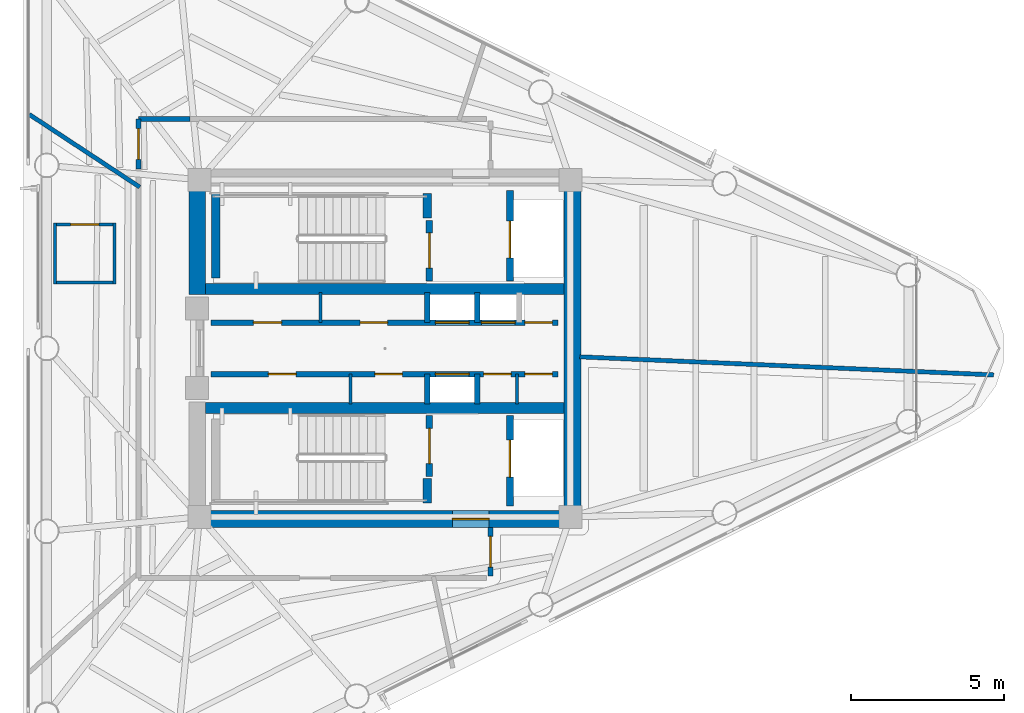
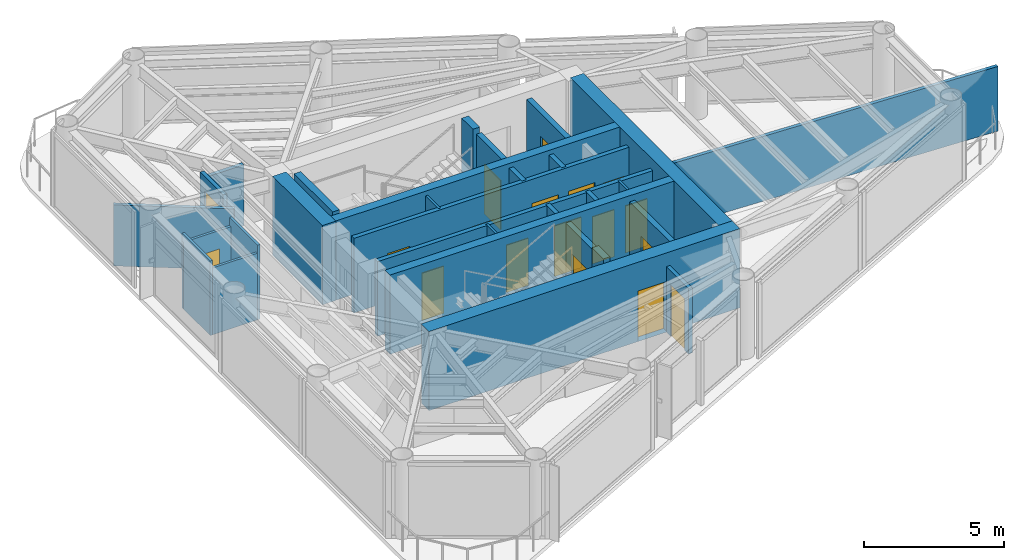
# One storey, part 5 of 10: 30 walls, 18 doors, 18 openings.
"""IFC4 building model written with IfcOpenShell, lengths in metres."""

from ifc_helpers import new_model, si_unit, direction, frame, frame_2d, origin, place, context, subcontext, project, spatial, rectangle, extrude, material, layer, layer_set, type_object, element, fill, save


model = new_model("IFC4")

# Units and contexts
model_context = context("Model", 3, precision=1e-05, world=origin(), true_north=direction((0.0, 1.0)))
body_context = subcontext(model_context, "Body", "Model", "MODEL_VIEW")
ifc_project = project(units=[si_unit("LENGTHUNIT", "METRE"), si_unit("AREAUNIT", "SQUARE_METRE"), si_unit("VOLUMEUNIT", "CUBIC_METRE"), si_unit("PLANEANGLEUNIT", "RADIAN"), si_unit("MASSUNIT", "GRAM", prefix="KILO")], contexts=[model_context])

# Site, building, storey
site_placement = place(None, origin())
site = spatial("IfcSite", under=ifc_project, at=site_placement, CompositionType="ELEMENT")
building_placement = place(site_placement, origin())
building = spatial("IfcBuilding", under=site, at=building_placement, Name="Yunling Apex Tower", CompositionType="ELEMENT")
storey_placement = place(building_placement, frame((0.0, 0.0, 289.85009765625)))
storey = spatial("IfcBuildingStorey", under=building, at=storey_placement, Name="L70", CompositionType="ELEMENT", Elevation=289.85009765625)

# Wall, opening, door
ifc_material_1 = material(Name="Concrete C40", Category="concrete")
ifc_layer_1 = layer(ifc_material_1, 0.550048828125)
ifc_layer_set_1 = layer_set([ifc_layer_1], Name="Concrete C40")
wall_type_1 = type_object("IfcWallType", Name="WL-COR-3", PredefinedType="SHEAR", material=ifc_layer_set_1)
wall_1_placement = place(storey_placement, frame((-6.39990234375, -5.574951171875, 0.0), z_axis=(0.0, 0.0, 1.0), x_axis=(1.0, 0.0, 0.0)))
wall_1 = element("IfcWall", 1, at=wall_1_placement, inside=storey, type_object=wall_type_1, Name="L70 South Core Shear Wall", PredefinedType="SHEAR", context=body_context, shape_type="SweptSolid", body=[
    extrude(rectangle(XDim=12.7998046875, YDim=0.550048828125, at=frame_2d((6.39990234375, 0.0))), origin(), (0.0, 0.0, 1.0), 3.449951171875),
])
opening_1_placement = place(wall_1_placement, frame((8.60009765625, 0.0, 0.0)))
opening_1 = element("IfcOpeningElement", 2, at=opening_1_placement, cuts=wall_1, Name="Opening DR-FFL-1", PredefinedType="OPENING", context=body_context, shape_type="SweptSolid", body=[
    extrude(rectangle(XDim=1.199951171875, YDim=2.199951171875, at=frame_2d((0.60009765625, 1.10009765625))), frame((0.0, 0.28515625, 0.0), z_axis=(0.0, -1.0, 0.0), x_axis=(1.0, 0.0, 0.0)), (0.0, 0.0, 1.0), 0.570068359375),
])
ifc_material_2 = material(Name="Steel Q355B", Category="steel")
door_type_1 = type_object("IfcDoorType", Name="DR-FFL-1", OperationType="NOTDEFINED", PredefinedType="DOOR", material=ifc_material_2)
door_1_placement = place(opening_1_placement, origin())
door_1 = element("IfcDoor", 3, at=door_1_placement, inside=storey, type_object=door_type_1, Name="L70 South Firefighting Lobby Door", OperationType="SINGLE_SWING_RIGHT", OverallHeight=2.199951171875, OverallWidth=1.199951171875, PredefinedType="DOOR", context=body_context, shape_type="SweptSolid", body=[
    extrude(rectangle(XDim=1.199951171875, YDim=2.199951171875, at=frame_2d((0.60009765625, 1.10009765625))), frame((0.0, 0.02490234375, 0.0), z_axis=(0.0, -1.0, 0.0), x_axis=(1.0, 0.0, 0.0)), (0.0, 0.0, 1.0), 0.050048828125),
])
fill(opening_1, door_1)

# Walls
wall_2_placement = place(storey_placement, frame((6.125, -5.300048828125, 0.0), z_axis=(0.0, 0.0, 1.0), x_axis=(0.0, 1.0, 0.0)))
element("IfcWall", 4, at=wall_2_placement, inside=storey, type_object=wall_type_1, Name="L70 East Core Shear Wall", PredefinedType="SHEAR", context=body_context, shape_type="SweptSolid", body=[
    extrude(rectangle(XDim=10.60009765625, YDim=0.550048828125, at=frame_2d((5.300048828125, 0.0))), origin(), (0.0, 0.0, 1.0), 3.449951171875),
])
wall_3_placement = place(storey_placement, frame((-6.125, 1.75, 0.0), z_axis=(0.0, 0.0, 1.0), x_axis=(0.0, 1.0, 0.0)))
element("IfcWall", 5, at=wall_3_placement, inside=storey, type_object=wall_type_1, Name="L70 West-North Core Shear Wall", PredefinedType="SHEAR", context=body_context, shape_type="SweptSolid", body=[
    extrude(rectangle(XDim=3.550048828125, YDim=0.550048828125, at=frame_2d((1.77490234375, 0.0))), origin(), (0.0, 0.0, 1.0), 3.449951171875),
])
ifc_layer_2 = layer(ifc_material_1, 0.360107421875)
ifc_layer_set_2 = layer_set([ifc_layer_2], Name="Concrete C40")
wall_type_2 = type_object("IfcWallType", Name="WL-COR-4", PredefinedType="SHEAR", material=ifc_layer_set_2)
for number, where, z_axis, x_axis, name in (
    (6, (-5.85009765625, 1.93994140625, 0.0), (0.0, 0.0, 1.0), (1.0, 0.0, 0.0), "L70 North Internal Core Shear Wall"),
    (7, (-5.85009765625, -1.93994140625, 0.0), (0.0, 0.0, 1.0), (1.0, 0.0, 0.0), "L70 South Internal Core Shear Wall"),
):
    element("IfcWall", number, at=place(storey_placement, frame(where, z_axis=z_axis, x_axis=x_axis)), inside=storey, type_object=wall_type_2, Name=name, PredefinedType="SHEAR", context=body_context, shape_type="SweptSolid", body=[
        extrude(rectangle(XDim=11.7001953125, YDim=0.360107421875, at=frame_2d((5.85009765625, 0.0))), origin(), (0.0, 0.0, 1.0), 3.449951171875),
    ])
ifc_layer_3 = layer(ifc_material_1, 0.280029296875)
ifc_layer_set_3 = layer_set([ifc_layer_3], Name="Concrete C40")
wall_type_3 = type_object("IfcWallType", Name="WL-COR-8", PredefinedType="SHEAR", material=ifc_layer_set_3)
wall_4_placement = place(storey_placement, frame((-5.52001953125, 2.300048828125, 0.0), z_axis=(0.0, 0.0, 1.0), x_axis=(0.0, 1.0, 0.0)))
element("IfcWall", 8, at=wall_4_placement, inside=storey, type_object=wall_type_3, Name="L70 ST-1 West Landing Bearing Wall", PredefinedType="SHEAR", context=body_context, shape_type="SweptSolid", body=[
    extrude(rectangle(XDim=2.75, YDim=0.280029296875, at=frame_2d((1.375, 0.0))), origin(), (0.0, 0.0, 1.0), 3.449951171875),
])
for number, where, z_axis, x_axis, name in (
    (9, (1.3798828125, 4.25, 0.0), (0.0, 0.0, 1.0), (0.0, 1.0, 0.0), "L70 ST-1 East Landing Bearing Pier"),
    (10, (1.3798828125, -5.050048828125, 0.0), (0.0, 0.0, 1.0), (0.0, 1.0, 0.0), "L70 ST-2 East Landing Bearing Pier"),
):
    element("IfcWall", number, at=place(storey_placement, frame(where, z_axis=z_axis, x_axis=x_axis)), inside=storey, type_object=wall_type_3, Name=name, PredefinedType="SHEAR", context=body_context, shape_type="SweptSolid", body=[
        extrude(rectangle(XDim=0.800048828125, YDim=0.280029296875, at=frame_2d((0.39990234375, 0.0))), origin(), (0.0, 0.0, 1.0), 3.449951171875),
    ])

# Wall, opening, door
ifc_material_3 = material(Name="Gypsum board acoustic partition")
ifc_layer_4 = layer(ifc_material_3, 0.159912109375)
ifc_layer_set_4 = layer_set([ifc_layer_4], Name="Gypsum board acoustic partition")
wall_type_4 = type_object("IfcWallType", Name="WL-PRT-1", PredefinedType="PARTITIONING", material=ifc_layer_set_4)
wall_5_placement = place(storey_placement, frame((-8.0400390625, 5.85009765625, 0.0), z_axis=(0.0, 0.0, 1.0), x_axis=(0.0, 1.0, 0.0)))
wall_5 = element("IfcWall", 11, at=wall_5_placement, inside=storey, type_object=wall_type_4, Name="WL-CORR-L70-01", PredefinedType="PARTITIONING", context=body_context, shape_type="SweptSolid", body=[
    extrude(rectangle(XDim=1.639892578125, YDim=0.159912109375, at=frame_2d((0.81982421875, 0.0))), origin(), (0.0, 0.0, 1.0), 2.90478515625),
])
opening_2_placement = place(wall_5_placement, frame((0.320068359375, 0.0, 0.0)))
opening_2 = element("IfcOpeningElement", 12, at=opening_2_placement, cuts=wall_5, Name="Opening DR-OFF-1", PredefinedType="OPENING", context=body_context, shape_type="SweptSolid", body=[
    extrude(rectangle(XDim=1.0, YDim=2.25, at=frame_2d((0.5, 1.125))), frame((0.0, 0.08984375, 0.0), z_axis=(0.0, -1.0, 0.0), x_axis=(1.0, 0.0, 0.0)), (0.0, 0.0, 1.0), 0.179931640625),
])
ifc_material_4 = material(Name="Bronze anodised aluminium", Category="aluminium")
door_type_2 = type_object("IfcDoorType", Name="DR-OFF-1", OperationType="NOTDEFINED", PredefinedType="DOOR", material=ifc_material_4)
door_2_placement = place(opening_2_placement, origin())
door_2 = element("IfcDoor", 13, at=door_2_placement, inside=storey, type_object=door_type_2, Name="L70 Parcel Archive Store Door", OperationType="SINGLE_SWING_RIGHT", OverallHeight=2.25, OverallWidth=1.0, PredefinedType="DOOR", context=body_context, shape_type="SweptSolid", body=[
    extrude(rectangle(XDim=1.0, YDim=2.25, at=frame_2d((0.5, 1.125))), frame((0.0, 0.02490234375, 0.0), z_axis=(0.0, -1.0, 0.0), x_axis=(1.0, 0.0, 0.0)), (0.0, 0.0, 1.0), 0.050048828125),
])
fill(opening_2, door_2)

# Wall
wall_6_placement = place(storey_placement, frame((-8.0400390625, 7.489990234375, 0.0), z_axis=(0.0, 0.0, 1.0), x_axis=(1.0, 0.0, 0.0)))
element("IfcWall", 14, at=wall_6_placement, inside=storey, type_object=wall_type_4, Name="WL-CORR-L70-02", PredefinedType="PARTITIONING", context=body_context, shape_type="SweptSolid", body=[
    extrude(rectangle(XDim=1.679931640625, YDim=0.159912109375, at=frame_2d((0.83984375, 0.0))), origin(), (0.0, 0.0, 1.0), 2.65478515625),
])

# Wall, opening, door
wall_7_placement = place(storey_placement, frame((3.449951171875, -5.85009765625, 0.0), z_axis=(0.0, 0.0, 1.0), x_axis=(0.0, -1.0, 0.0)))
wall_7 = element("IfcWall", 15, at=wall_7_placement, inside=storey, type_object=wall_type_4, Name="WL-CORR-L70-05", PredefinedType="PARTITIONING", context=body_context, shape_type="SweptSolid", body=[
    extrude(rectangle(XDim=1.57470703125, YDim=0.159912109375, at=frame_2d((0.787353515625, 0.0))), origin(), (0.0, 0.0, 1.0), 2.85498046875),
])
opening_3_placement = place(wall_7_placement, frame((0.287353515625, 0.0, 0.0)))
opening_3 = element("IfcOpeningElement", 16, at=opening_3_placement, cuts=wall_7, Name="Opening DR-OFF-1", PredefinedType="OPENING", context=body_context, shape_type="SweptSolid", body=[
    extrude(rectangle(XDim=1.0, YDim=2.25, at=frame_2d((0.5, 1.125))), frame((0.0, 0.08984375, 0.0), z_axis=(0.0, -1.0, 0.0), x_axis=(1.0, 0.0, 0.0)), (0.0, 0.0, 1.0), 0.179931640625),
])
door_3_placement = place(opening_3_placement, origin())
door_3 = element("IfcDoor", 17, at=door_3_placement, inside=storey, type_object=door_type_2, Name="L70 Parcel Archive Store Door", OperationType="SINGLE_SWING_RIGHT", OverallHeight=2.25, OverallWidth=1.0, PredefinedType="DOOR", context=body_context, shape_type="SweptSolid", body=[
    extrude(rectangle(XDim=1.0, YDim=2.25, at=frame_2d((0.5, 1.125))), frame((0.0, 0.02490234375, 0.0), z_axis=(0.0, -1.0, 0.0), x_axis=(1.0, 0.0, 0.0)), (0.0, 0.0, 1.0), 0.050048828125),
])
fill(opening_3, door_3)

# Walls
ifc_layer_5 = layer(ifc_material_3, 0.139892578125)
ifc_layer_set_5 = layer_set([ifc_layer_5], Name="Gypsum board acoustic partition")
wall_type_5 = type_object("IfcWallType", Name="WL-PRT-2", PredefinedType="PARTITIONING", material=ifc_layer_set_5)
wall_8_placement = place(storey_placement, frame((6.360107421875, -0.277587890625, 0.0), z_axis=(0.0, 0.0, 1.0), x_axis=(0.999047623791, -0.043633076864, 0.0)))
element("IfcWall", 18, at=wall_8_placement, inside=storey, type_object=wall_type_5, Name="WL-RAD-L70-01", PredefinedType="PARTITIONING", context=body_context, shape_type="SweptSolid", body=[
    extrude(rectangle(XDim=13.52392578125, YDim=0.139892578125, at=frame_2d((6.761962890625, 0.0))), origin(), (0.0, 0.0, 1.0), 2.81494140625),
])
wall_9_placement = place(storey_placement, frame((-8.0, 5.26171875, 0.0), z_axis=(0.0, 0.0, 1.0), x_axis=(-0.835496328285, 0.549496028578, 0.0)))
element("IfcWall", 19, at=wall_9_placement, inside=storey, type_object=wall_type_5, Name="WL-RAD-L70-03", PredefinedType="PARTITIONING", context=body_context, shape_type="SweptSolid", body=[
    extrude(rectangle(XDim=4.317626953125, YDim=0.139892578125, at=frame_2d((2.15869140625, 0.0))), origin(), (0.0, 0.0, 1.0), 2.65478515625),
])
ifc_layer_6 = layer(ifc_material_3, 0.10009765625)
ifc_layer_set_6 = layer_set([ifc_layer_6], Name="Gypsum board acoustic partition")
wall_type_6 = type_object("IfcWallType", Name="WL-PRT-4", PredefinedType="PARTITIONING", material=ifc_layer_set_6)
for number, where, z_axis, x_axis, name in (
    (20, (-2.10009765625, 0.840087890625, 0.0), (0.0, 0.0, 1.0), (0.0, 1.0, 0.0), "WL-RECLMC-N-L70"),
    (21, (-1.1201171875, -1.820068359375, 0.0), (0.0, 0.0, 1.0), (0.0, 1.0, 0.0), "WL-RECLMC-S-L70"),
    (22, (4.31005859375, -1.820068359375, 0.0), (0.0, 0.0, 1.0), (0.0, 1.0, 0.0), "WL-KCDIV-L70"),
):
    element("IfcWall", number, at=place(storey_placement, frame(where, z_axis=z_axis, x_axis=x_axis)), inside=storey, type_object=wall_type_6, Name=name, PredefinedType="PARTITIONING", context=body_context, shape_type="SweptSolid", body=[
        extrude(rectangle(XDim=0.97998046875, YDim=0.10009765625, at=frame_2d((0.489990234375, 0.0))), origin(), (0.0, 0.0, 1.0), 3.25),
    ])

# Wall, opening, door
wall_10_placement = place(storey_placement, frame((-10.819091796875, 4.047119140625, 0.0), z_axis=(0.0, 0.0, 1.0), x_axis=(1.0, 0.0, 0.0)))
wall_10 = element("IfcWall", 23, at=wall_10_placement, inside=storey, type_object=wall_type_6, Name="WL-L70-RWC1N", PredefinedType="PARTITIONING", context=body_context, shape_type="SweptSolid", body=[
    extrude(rectangle(XDim=2.050048828125, YDim=0.10009765625, at=frame_2d((1.02490234375, 0.0))), origin(), (0.0, 0.0, 1.0), 2.90478515625),
])
opening_4_placement = place(wall_10_placement, frame((0.56494140625, 0.0, 0.0)))
opening_4 = element("IfcOpeningElement", 24, at=opening_4_placement, cuts=wall_10, Name="Opening DR-WC-1", PredefinedType="OPENING", context=body_context, shape_type="SweptSolid", body=[
    extrude(rectangle(XDim=0.919921875, YDim=2.10009765625, at=frame_2d((0.4599609375, 1.050048828125))), frame((0.0, 0.06005859375, 0.0), z_axis=(0.0, -1.0, 0.0), x_axis=(1.0, 0.0, 0.0)), (0.0, 0.0, 1.0), 0.1201171875),
])
ifc_material_5 = material(Name="Timber moisture-resistant leaf", Category="wood")
door_type_3 = type_object("IfcDoorType", Name="DR-WC-1", OperationType="NOTDEFINED", PredefinedType="DOOR", material=ifc_material_5)
door_4_placement = place(opening_4_placement, origin())
door_4 = element("IfcDoor", 25, at=door_4_placement, inside=storey, type_object=door_type_3, Name="L70 Accessible WC Door", OperationType="SINGLE_SWING_LEFT", OverallHeight=2.10009765625, OverallWidth=0.919921875, PredefinedType="DOOR", context=body_context, shape_type="SweptSolid", body=[
    extrude(rectangle(XDim=0.919921875, YDim=2.10009765625, at=frame_2d((0.4599609375, 1.050048828125))), frame((0.0, 0.02490234375, 0.0), z_axis=(0.0, -1.0, 0.0), x_axis=(1.0, 0.0, 0.0)), (0.0, 0.0, 1.0), 0.050048828125),
])
fill(opening_4, door_4)

# Walls
wall_11_placement = place(storey_placement, frame((-8.76904296875, 2.14697265625, 0.0), z_axis=(0.0, 0.0, 1.0), x_axis=(-1.0, 0.0, 0.0)))
element("IfcWall", 26, at=wall_11_placement, inside=storey, type_object=wall_type_6, Name="WL-L70-RWC1S", PredefinedType="PARTITIONING", context=body_context, shape_type="SweptSolid", body=[
    extrude(rectangle(XDim=2.050048828125, YDim=0.10009765625, at=frame_2d((1.02490234375, 0.0))), origin(), (0.0, 0.0, 1.0), 2.90478515625),
])
for number, where, z_axis, x_axis, name in (
    (27, (-8.819091796875, 4.096923828125, 0.0), (0.0, 0.0, 1.0), (0.0, -1.0, 0.0), "WL-L70-RWC1E"),
    (28, (-10.76904296875, 2.096923828125, 0.0), (0.0, 0.0, 1.0), (0.0, 1.0, 0.0), "WL-L70-RWC1W"),
):
    element("IfcWall", number, at=place(storey_placement, frame(where, z_axis=z_axis, x_axis=x_axis)), inside=storey, type_object=wall_type_6, Name=name, PredefinedType="PARTITIONING", context=body_context, shape_type="SweptSolid", body=[
        extrude(rectangle(XDim=2.0, YDim=0.10009765625, at=frame_2d((1.0, 0.0))), origin(), (0.0, 0.0, 1.0), 3.25),
    ])

# Wall, opening, door
ifc_material_6 = material(Name="Autoclaved aerated concrete masonry", Category="masonry")
ifc_layer_7 = layer(ifc_material_6, 0.219970703125)
ifc_layer_set_7 = layer_set([ifc_layer_7], Name="Autoclaved aerated concrete masonry")
wall_type_7 = type_object("IfcWallType", Name="WL-SHF-1", PredefinedType="PLUMBINGWALL", material=ifc_layer_set_7)
wall_12_placement = place(storey_placement, frame((1.449951171875, 2.199951171875, 0.0), z_axis=(0.0, 0.0, 1.0), x_axis=(0.0, 1.0, 0.0)))
wall_12 = element("IfcWall", 29, at=wall_12_placement, inside=storey, type_object=wall_type_7, Name="WL-ST1-E-L70", PredefinedType="PLUMBINGWALL", context=body_context, shape_type="SweptSolid", body=[
    extrude(rectangle(XDim=1.97998046875, YDim=0.219970703125, at=frame_2d((0.989990234375, 0.0))), origin(), (0.0, 0.0, 1.0), 3.25),
])
opening_5_placement = place(wall_12_placement, frame((0.419921875, 0.0, 0.0)))
opening_5 = element("IfcOpeningElement", 30, at=opening_5_placement, cuts=wall_12, Name="Opening DR-ST-1", PredefinedType="OPENING", context=body_context, shape_type="SweptSolid", body=[
    extrude(rectangle(XDim=1.14990234375, YDim=2.14990234375, at=frame_2d((0.574951171875, 1.074951171875))), frame((0.0, 0.1201171875, 0.0), z_axis=(0.0, -1.0, 0.0), x_axis=(1.0, 0.0, 0.0)), (0.0, 0.0, 1.0), 0.239990234375),
])
door_type_4 = type_object("IfcDoorType", Name="DR-ST-1", OperationType="NOTDEFINED", PredefinedType="DOOR", material=ifc_material_2)
door_5_placement = place(opening_5_placement, origin())
door_5 = element("IfcDoor", 31, at=door_5_placement, inside=storey, type_object=door_type_4, Name="L70 Stair ST-1 Fire Door", OperationType="SINGLE_SWING_RIGHT", OverallHeight=2.14990234375, OverallWidth=1.14990234375, PredefinedType="DOOR", context=body_context, shape_type="SweptSolid", body=[
    extrude(rectangle(XDim=1.14990234375, YDim=2.14990234375, at=frame_2d((0.574951171875, 1.074951171875))), frame((0.0, 0.02490234375, 0.0), z_axis=(0.0, -1.0, 0.0), x_axis=(1.0, 0.0, 0.0)), (0.0, 0.0, 1.0), 0.050048828125),
])
fill(opening_5, door_5)

wall_13_placement = place(storey_placement, frame((4.080078125, 2.199951171875, 0.0), z_axis=(0.0, 0.0, 1.0), x_axis=(0.0, 1.0, 0.0)))
wall_13 = element("IfcWall", 32, at=wall_13_placement, inside=storey, type_object=wall_type_7, Name="WL-FFL1-W-L70", PredefinedType="PLUMBINGWALL", context=body_context, shape_type="SweptSolid", body=[
    extrude(rectangle(XDim=2.949951171875, YDim=0.219970703125, at=frame_2d((1.47509765625, 0.0))), origin(), (0.0, 0.0, 1.0), 3.25),
])
opening_6_placement = place(wall_13_placement, frame((0.75, 0.0, 0.0)))
opening_6 = element("IfcOpeningElement", 33, at=opening_6_placement, cuts=wall_13, Name="Opening LD-FFL-1", PredefinedType="OPENING", context=body_context, shape_type="SweptSolid", body=[
    extrude(rectangle(XDim=1.199951171875, YDim=2.25, at=frame_2d((0.60009765625, 1.125))), frame((0.0, 0.1201171875, 0.0), z_axis=(0.0, -1.0, 0.0), x_axis=(1.0, 0.0, 0.0)), (0.0, 0.0, 1.0), 0.239990234375),
])
door_type_5 = type_object("IfcDoorType", Name="LD-FFL-1", OperationType="DOUBLE_DOOR_SLIDING", PredefinedType="DOOR", material=ifc_material_2)
door_6_placement = place(opening_6_placement, origin())
door_6 = element("IfcDoor", 34, at=door_6_placement, inside=storey, type_object=door_type_5, Name="L70 Lift FFL-1 Landing Door", OperationType="DOUBLE_DOOR_SLIDING", OverallHeight=2.25, OverallWidth=1.199951171875, PredefinedType="DOOR", context=body_context, shape_type="SweptSolid", body=[
    extrude(rectangle(XDim=1.199951171875, YDim=2.25, at=frame_2d((0.60009765625, 1.125))), frame((0.0, 0.02490234375, 0.0), z_axis=(0.0, -1.0, 0.0), x_axis=(1.0, 0.0, 0.0)), (0.0, 0.0, 1.0), 0.050048828125),
])
fill(opening_6, door_6)

wall_14_placement = place(storey_placement, frame((1.449951171875, -4.179931640625, 0.0), z_axis=(0.0, 0.0, 1.0), x_axis=(0.0, 1.0, 0.0)))
wall_14 = element("IfcWall", 35, at=wall_14_placement, inside=storey, type_object=wall_type_7, Name="WL-ST2-E-L70", PredefinedType="PLUMBINGWALL", context=body_context, shape_type="SweptSolid", body=[
    extrude(rectangle(XDim=1.97998046875, YDim=0.219970703125, at=frame_2d((0.989990234375, 0.0))), origin(), (0.0, 0.0, 1.0), 3.25),
])
opening_7_placement = place(wall_14_placement, frame((0.419921875, 0.0, 0.0)))
opening_7 = element("IfcOpeningElement", 36, at=opening_7_placement, cuts=wall_14, Name="Opening DR-ST-1", PredefinedType="OPENING", context=body_context, shape_type="SweptSolid", body=[
    extrude(rectangle(XDim=1.14990234375, YDim=2.14990234375, at=frame_2d((0.574951171875, 1.074951171875))), frame((0.0, 0.1201171875, 0.0), z_axis=(0.0, -1.0, 0.0), x_axis=(1.0, 0.0, 0.0)), (0.0, 0.0, 1.0), 0.239990234375),
])
door_7_placement = place(opening_7_placement, origin())
door_7 = element("IfcDoor", 37, at=door_7_placement, inside=storey, type_object=door_type_4, Name="L70 Stair ST-2 Fire Door", OperationType="SINGLE_SWING_LEFT", OverallHeight=2.14990234375, OverallWidth=1.14990234375, PredefinedType="DOOR", context=body_context, shape_type="SweptSolid", body=[
    extrude(rectangle(XDim=1.14990234375, YDim=2.14990234375, at=frame_2d((0.574951171875, 1.074951171875))), frame((0.0, 0.02490234375, 0.0), z_axis=(0.0, -1.0, 0.0), x_axis=(1.0, 0.0, 0.0)), (0.0, 0.0, 1.0), 0.050048828125),
])
fill(opening_7, door_7)

wall_15_placement = place(storey_placement, frame((4.080078125, -5.14990234375, 0.0), z_axis=(0.0, 0.0, 1.0), x_axis=(0.0, 1.0, 0.0)))
wall_15 = element("IfcWall", 38, at=wall_15_placement, inside=storey, type_object=wall_type_7, Name="WL-FFL2-W-L70", PredefinedType="PLUMBINGWALL", context=body_context, shape_type="SweptSolid", body=[
    extrude(rectangle(XDim=2.949951171875, YDim=0.219970703125, at=frame_2d((1.47509765625, 0.0))), origin(), (0.0, 0.0, 1.0), 3.25),
])
opening_8_placement = place(wall_15_placement, frame((0.949951171875, 0.0, 0.0)))
opening_8 = element("IfcOpeningElement", 39, at=opening_8_placement, cuts=wall_15, Name="Opening LD-FFL-1", PredefinedType="OPENING", context=body_context, shape_type="SweptSolid", body=[
    extrude(rectangle(XDim=1.199951171875, YDim=2.25, at=frame_2d((0.60009765625, 1.125))), frame((0.0, 0.1201171875, 0.0), z_axis=(0.0, -1.0, 0.0), x_axis=(1.0, 0.0, 0.0)), (0.0, 0.0, 1.0), 0.239990234375),
])
door_8_placement = place(opening_8_placement, origin())
door_8 = element("IfcDoor", 40, at=door_8_placement, inside=storey, type_object=door_type_5, Name="L70 Lift FFL-2 Landing Door", OperationType="DOUBLE_DOOR_SLIDING", OverallHeight=2.25, OverallWidth=1.199951171875, PredefinedType="DOOR", context=body_context, shape_type="SweptSolid", body=[
    extrude(rectangle(XDim=1.199951171875, YDim=2.25, at=frame_2d((0.60009765625, 1.125))), frame((0.0, 0.02490234375, 0.0), z_axis=(0.0, -1.0, 0.0), x_axis=(1.0, 0.0, 0.0)), (0.0, 0.0, 1.0), 0.050048828125),
])
fill(opening_8, door_8)

# Walls
ifc_layer_8 = layer(ifc_material_6, 0.179931640625)
ifc_layer_set_8 = layer_set([ifc_layer_8], Name="Autoclaved aerated concrete masonry")
wall_type_8 = type_object("IfcWallType", Name="WL-SHF-2", PredefinedType="PLUMBINGWALL", material=ifc_layer_set_8)
for number, where, z_axis, x_axis, name in (
    (41, (1.3798828125, 0.840087890625, 0.0), (0.0, 0.0, 1.0), (0.0, 1.0, 0.0), "WL-BNK-MH-N-L70"),
    (42, (1.3798828125, -1.820068359375, 0.0), (0.0, 0.0, 1.0), (0.0, 1.0, 0.0), "WL-BNK-MH-S-L70"),
    (43, (3.02001953125, 0.840087890625, 0.0), (0.0, 0.0, 1.0), (0.0, 1.0, 0.0), "WL-DIV-H13-L70"),
    (44, (3.02001953125, -1.820068359375, 0.0), (0.0, 0.0, 1.0), (0.0, 1.0, 0.0), "WL-END-H2E-L70"),
):
    element("IfcWall", number, at=place(storey_placement, frame(where, z_axis=z_axis, x_axis=x_axis)), inside=storey, type_object=wall_type_8, Name=name, PredefinedType="PLUMBINGWALL", context=body_context, shape_type="SweptSolid", body=[
        extrude(rectangle(XDim=0.97998046875, YDim=0.179931640625, at=frame_2d((0.489990234375, 0.0))), origin(), (0.0, 0.0, 1.0), 3.25),
    ])

# Wall, openings, doors
wall_16_placement = place(storey_placement, frame((-5.679931640625, 0.840087890625, 0.0), z_axis=(0.0, 0.0, 1.0), x_axis=(1.0, 0.0, 0.0)))
wall_16 = element("IfcWall", 45, at=wall_16_placement, inside=storey, type_object=wall_type_8, Name="WL-LOB-N-L70", PredefinedType="PLUMBINGWALL", context=body_context, shape_type="SweptSolid", body=[
    extrude(rectangle(XDim=11.329833984375, YDim=0.179931640625, at=frame_2d((5.6650390625, 0.0))), origin(), (0.0, 0.0, 1.0), 3.25),
])
opening_9_placement = place(wall_16_placement, frame((1.389892578125, 0.0, 0.0)))
opening_9 = element("IfcOpeningElement", 46, at=opening_9_placement, cuts=wall_16, Name="Opening DR-WC-1", PredefinedType="OPENING", context=body_context, shape_type="SweptSolid", body=[
    extrude(rectangle(XDim=0.919921875, YDim=2.10009765625, at=frame_2d((0.4599609375, 1.050048828125))), frame((0.0, 0.10009765625, 0.0), z_axis=(0.0, -1.0, 0.0), x_axis=(1.0, 0.0, 0.0)), (0.0, 0.0, 1.0), 0.199951171875),
])
opening_10_placement = place(wall_16_placement, frame((4.8701171875, 0.0, 0.0)))
opening_10 = element("IfcOpeningElement", 47, at=opening_10_placement, cuts=wall_16, Name="Opening DR-SHF-1", PredefinedType="OPENING", context=body_context, shape_type="SweptSolid", body=[
    extrude(rectangle(XDim=0.89990234375, YDim=2.050048828125, at=frame_2d((0.449951171875, 1.02490234375))), frame((0.0, 0.10009765625, 0.0), z_axis=(0.0, -1.0, 0.0), x_axis=(1.0, 0.0, 0.0)), (0.0, 0.0, 1.0), 0.199951171875),
])
opening_11_placement = place(wall_16_placement, frame((7.330078125, 0.0, 0.0)))
opening_11 = element("IfcOpeningElement", 48, at=opening_11_placement, cuts=wall_16, Name="Opening LD-PAS-1", PredefinedType="OPENING", context=body_context, shape_type="SweptSolid", body=[
    extrude(rectangle(XDim=1.10009765625, YDim=2.199951171875, at=frame_2d((0.550048828125, 1.10009765625))), frame((0.0, 0.10009765625, 0.0), z_axis=(0.0, -1.0, 0.0), x_axis=(1.0, 0.0, 0.0)), (0.0, 0.0, 1.0), 0.199951171875),
])
opening_12_placement = place(wall_16_placement, frame((8.830078125, 0.0, 0.0)))
opening_12 = element("IfcOpeningElement", 49, at=opening_12_placement, cuts=wall_16, Name="Opening LD-PAS-1", PredefinedType="OPENING", context=body_context, shape_type="SweptSolid", body=[
    extrude(rectangle(XDim=1.10009765625, YDim=2.199951171875, at=frame_2d((0.550048828125, 1.10009765625))), frame((0.0, 0.10009765625, 0.0), z_axis=(0.0, -1.0, 0.0), x_axis=(1.0, 0.0, 0.0)), (0.0, 0.0, 1.0), 0.199951171875),
])
opening_13_placement = place(wall_16_placement, frame((10.25, 0.0, 0.0)))
opening_13 = element("IfcOpeningElement", 50, at=opening_13_placement, cuts=wall_16, Name="Opening DR-SHF-1", PredefinedType="OPENING", context=body_context, shape_type="SweptSolid", body=[
    extrude(rectangle(XDim=0.89990234375, YDim=2.050048828125, at=frame_2d((0.449951171875, 1.02490234375))), frame((0.0, 0.10009765625, 0.0), z_axis=(0.0, -1.0, 0.0), x_axis=(1.0, 0.0, 0.0)), (0.0, 0.0, 1.0), 0.199951171875),
])
door_type_6 = type_object("IfcDoorType", Name="DR-SHF-1", OperationType="NOTDEFINED", PredefinedType="DOOR", material=ifc_material_2)
door_9_placement = place(opening_10_placement, origin())
door_9 = element("IfcDoor", 51, at=door_9_placement, inside=storey, type_object=door_type_6, Name="L70 Electrical Plant Door", OperationType="SINGLE_SWING_LEFT", OverallHeight=2.050048828125, OverallWidth=0.89990234375, PredefinedType="DOOR", context=body_context, shape_type="SweptSolid", body=[
    extrude(rectangle(XDim=0.89990234375, YDim=2.050048828125, at=frame_2d((0.449951171875, 1.02490234375))), frame((0.0, 0.02490234375, 0.0), z_axis=(0.0, -1.0, 0.0), x_axis=(1.0, 0.0, 0.0)), (0.0, 0.0, 1.0), 0.050048828125),
])
fill(opening_10, door_9)
door_10_placement = place(opening_13_placement, origin())
door_10 = element("IfcDoor", 52, at=door_10_placement, inside=storey, type_object=door_type_6, Name="L70 Floor Supply Store Door", OperationType="SINGLE_SWING_RIGHT", OverallHeight=2.050048828125, OverallWidth=0.89990234375, PredefinedType="DOOR", context=body_context, shape_type="SweptSolid", body=[
    extrude(rectangle(XDim=0.89990234375, YDim=2.050048828125, at=frame_2d((0.449951171875, 1.02490234375))), frame((0.0, 0.02490234375, 0.0), z_axis=(0.0, -1.0, 0.0), x_axis=(1.0, 0.0, 0.0)), (0.0, 0.0, 1.0), 0.050048828125),
])
fill(opening_13, door_10)
door_11_placement = place(opening_9_placement, origin())
door_11 = element("IfcDoor", 53, at=door_11_placement, inside=storey, type_object=door_type_3, Name="L70 Staff WC Door", OperationType="SINGLE_SWING_RIGHT", OverallHeight=2.10009765625, OverallWidth=0.919921875, PredefinedType="DOOR", context=body_context, shape_type="SweptSolid", body=[
    extrude(rectangle(XDim=0.919921875, YDim=2.10009765625, at=frame_2d((0.4599609375, 1.050048828125))), frame((0.0, 0.02490234375, 0.0), z_axis=(0.0, -1.0, 0.0), x_axis=(1.0, 0.0, 0.0)), (0.0, 0.0, 1.0), 0.050048828125),
])
fill(opening_9, door_11)
ifc_material_7 = material(Name="Silver anodised aluminium", Category="aluminium")
door_type_7 = type_object("IfcDoorType", Name="LD-PAS-1", OperationType="DOUBLE_DOOR_SLIDING", PredefinedType="DOOR", material=ifc_material_7)
door_12_placement = place(opening_11_placement, origin())
door_12 = element("IfcDoor", 54, at=door_12_placement, inside=storey, type_object=door_type_7, Name="L70 Lift PL-H1 Landing Door", OperationType="DOUBLE_DOOR_SLIDING", OverallHeight=2.199951171875, OverallWidth=1.10009765625, PredefinedType="DOOR", context=body_context, shape_type="SweptSolid", body=[
    extrude(rectangle(XDim=1.10009765625, YDim=2.199951171875, at=frame_2d((0.550048828125, 1.10009765625))), frame((0.0, 0.02490234375, 0.0), z_axis=(0.0, -1.0, 0.0), x_axis=(1.0, 0.0, 0.0)), (0.0, 0.0, 1.0), 0.050048828125),
])
fill(opening_11, door_12)
door_13_placement = place(opening_12_placement, origin())
door_13 = element("IfcDoor", 55, at=door_13_placement, inside=storey, type_object=door_type_7, Name="L70 Lift PL-H3 Landing Door", OperationType="DOUBLE_DOOR_SLIDING", OverallHeight=2.199951171875, OverallWidth=1.10009765625, PredefinedType="DOOR", context=body_context, shape_type="SweptSolid", body=[
    extrude(rectangle(XDim=1.10009765625, YDim=2.199951171875, at=frame_2d((0.550048828125, 1.10009765625))), frame((0.0, 0.02490234375, 0.0), z_axis=(0.0, -1.0, 0.0), x_axis=(1.0, 0.0, 0.0)), (0.0, 0.0, 1.0), 0.050048828125),
])
fill(opening_12, door_13)

wall_17_placement = place(storey_placement, frame((-5.679931640625, -0.840087890625, 0.0), z_axis=(0.0, 0.0, 1.0), x_axis=(1.0, 0.0, 0.0)))
wall_17 = element("IfcWall", 56, at=wall_17_placement, inside=storey, type_object=wall_type_8, Name="WL-LOB-S-L70", PredefinedType="PLUMBINGWALL", context=body_context, shape_type="SweptSolid", body=[
    extrude(rectangle(XDim=11.329833984375, YDim=0.179931640625, at=frame_2d((5.6650390625, 0.0))), origin(), (0.0, 0.0, 1.0), 3.25),
])
opening_14_placement = place(wall_17_placement, frame((1.8798828125, 0.0, 0.0)))
opening_14 = element("IfcOpeningElement", 57, at=opening_14_placement, cuts=wall_17, Name="Opening DR-SHF-1", PredefinedType="OPENING", context=body_context, shape_type="SweptSolid", body=[
    extrude(rectangle(XDim=0.89990234375, YDim=2.050048828125, at=frame_2d((0.449951171875, 1.02490234375))), frame((0.0, 0.10009765625, 0.0), z_axis=(0.0, -1.0, 0.0), x_axis=(1.0, 0.0, 0.0)), (0.0, 0.0, 1.0), 0.199951171875),
])
opening_15_placement = place(wall_17_placement, frame((5.35009765625, 0.0, 0.0)))
opening_15 = element("IfcOpeningElement", 58, at=opening_15_placement, cuts=wall_17, Name="Opening DR-SHF-1", PredefinedType="OPENING", context=body_context, shape_type="SweptSolid", body=[
    extrude(rectangle(XDim=0.89990234375, YDim=2.050048828125, at=frame_2d((0.449951171875, 1.02490234375))), frame((0.0, 0.10009765625, 0.0), z_axis=(0.0, -1.0, 0.0), x_axis=(1.0, 0.0, 0.0)), (0.0, 0.0, 1.0), 0.199951171875),
])
opening_16_placement = place(wall_17_placement, frame((7.330078125, 0.0, 0.0)))
opening_16 = element("IfcOpeningElement", 59, at=opening_16_placement, cuts=wall_17, Name="Opening LD-PAS-1", PredefinedType="OPENING", context=body_context, shape_type="SweptSolid", body=[
    extrude(rectangle(XDim=1.10009765625, YDim=2.199951171875, at=frame_2d((0.550048828125, 1.10009765625))), frame((0.0, 0.10009765625, 0.0), z_axis=(0.0, -1.0, 0.0), x_axis=(1.0, 0.0, 0.0)), (0.0, 0.0, 1.0), 0.199951171875),
])
opening_17_placement = place(wall_17_placement, frame((8.89990234375, 0.0, 0.0)))
opening_17 = element("IfcOpeningElement", 60, at=opening_17_placement, cuts=wall_17, Name="Opening DR-SHF-1", PredefinedType="OPENING", context=body_context, shape_type="SweptSolid", body=[
    extrude(rectangle(XDim=0.89990234375, YDim=2.050048828125, at=frame_2d((0.449951171875, 1.02490234375))), frame((0.0, 0.10009765625, 0.0), z_axis=(0.0, -1.0, 0.0), x_axis=(1.0, 0.0, 0.0)), (0.0, 0.0, 1.0), 0.199951171875),
])
opening_18_placement = place(wall_17_placement, frame((10.25, 0.0, 0.0)))
opening_18 = element("IfcOpeningElement", 61, at=opening_18_placement, cuts=wall_17, Name="Opening DR-SHF-1", PredefinedType="OPENING", context=body_context, shape_type="SweptSolid", body=[
    extrude(rectangle(XDim=0.89990234375, YDim=2.050048828125, at=frame_2d((0.449951171875, 1.02490234375))), frame((0.0, 0.10009765625, 0.0), z_axis=(0.0, -1.0, 0.0), x_axis=(1.0, 0.0, 0.0)), (0.0, 0.0, 1.0), 0.199951171875),
])
door_14_placement = place(opening_14_placement, origin())
door_14 = element("IfcDoor", 62, at=door_14_placement, inside=storey, type_object=door_type_6, Name="L70 Luggage Store Door", OperationType="SINGLE_SWING_LEFT", OverallHeight=2.050048828125, OverallWidth=0.89990234375, PredefinedType="DOOR", context=body_context, shape_type="SweptSolid", body=[
    extrude(rectangle(XDim=0.89990234375, YDim=2.050048828125, at=frame_2d((0.449951171875, 1.02490234375))), frame((0.0, 0.02490234375, 0.0), z_axis=(0.0, -1.0, 0.0), x_axis=(1.0, 0.0, 0.0)), (0.0, 0.0, 1.0), 0.050048828125),
])
fill(opening_14, door_14)
door_15_placement = place(opening_15_placement, origin())
door_15 = element("IfcDoor", 63, at=door_15_placement, inside=storey, type_object=door_type_6, Name="L70 Booster Plant Door", OperationType="SINGLE_SWING_RIGHT", OverallHeight=2.050048828125, OverallWidth=0.89990234375, PredefinedType="DOOR", context=body_context, shape_type="SweptSolid", body=[
    extrude(rectangle(XDim=0.89990234375, YDim=2.050048828125, at=frame_2d((0.449951171875, 1.02490234375))), frame((0.0, 0.02490234375, 0.0), z_axis=(0.0, -1.0, 0.0), x_axis=(1.0, 0.0, 0.0)), (0.0, 0.0, 1.0), 0.050048828125),
])
fill(opening_15, door_15)
door_16_placement = place(opening_17_placement, origin())
door_16 = element("IfcDoor", 64, at=door_16_placement, inside=storey, type_object=door_type_6, Name="L70 LV Closet Door", OperationType="SINGLE_SWING_LEFT", OverallHeight=2.050048828125, OverallWidth=0.89990234375, PredefinedType="DOOR", context=body_context, shape_type="SweptSolid", body=[
    extrude(rectangle(XDim=0.89990234375, YDim=2.050048828125, at=frame_2d((0.449951171875, 1.02490234375))), frame((0.0, 0.02490234375, 0.0), z_axis=(0.0, -1.0, 0.0), x_axis=(1.0, 0.0, 0.0)), (0.0, 0.0, 1.0), 0.050048828125),
])
fill(opening_17, door_16)
door_17_placement = place(opening_18_placement, origin())
door_17 = element("IfcDoor", 65, at=door_17_placement, inside=storey, type_object=door_type_6, Name="L70 Standpipe Closet Door", OperationType="SINGLE_SWING_RIGHT", OverallHeight=2.050048828125, OverallWidth=0.89990234375, PredefinedType="DOOR", context=body_context, shape_type="SweptSolid", body=[
    extrude(rectangle(XDim=0.89990234375, YDim=2.050048828125, at=frame_2d((0.449951171875, 1.02490234375))), frame((0.0, 0.02490234375, 0.0), z_axis=(0.0, -1.0, 0.0), x_axis=(1.0, 0.0, 0.0)), (0.0, 0.0, 1.0), 0.050048828125),
])
fill(opening_18, door_17)
door_18_placement = place(opening_16_placement, origin())
door_18 = element("IfcDoor", 66, at=door_18_placement, inside=storey, type_object=door_type_7, Name="L70 Lift PL-H2 Landing Door", OperationType="DOUBLE_DOOR_SLIDING", OverallHeight=2.199951171875, OverallWidth=1.10009765625, PredefinedType="DOOR", context=body_context, shape_type="SweptSolid", body=[
    extrude(rectangle(XDim=1.10009765625, YDim=2.199951171875, at=frame_2d((0.550048828125, 1.10009765625))), frame((0.0, 0.02490234375, 0.0), z_axis=(0.0, -1.0, 0.0), x_axis=(1.0, 0.0, 0.0)), (0.0, 0.0, 1.0), 0.050048828125),
])
fill(opening_16, door_18)

save(model, "model.ifc")
